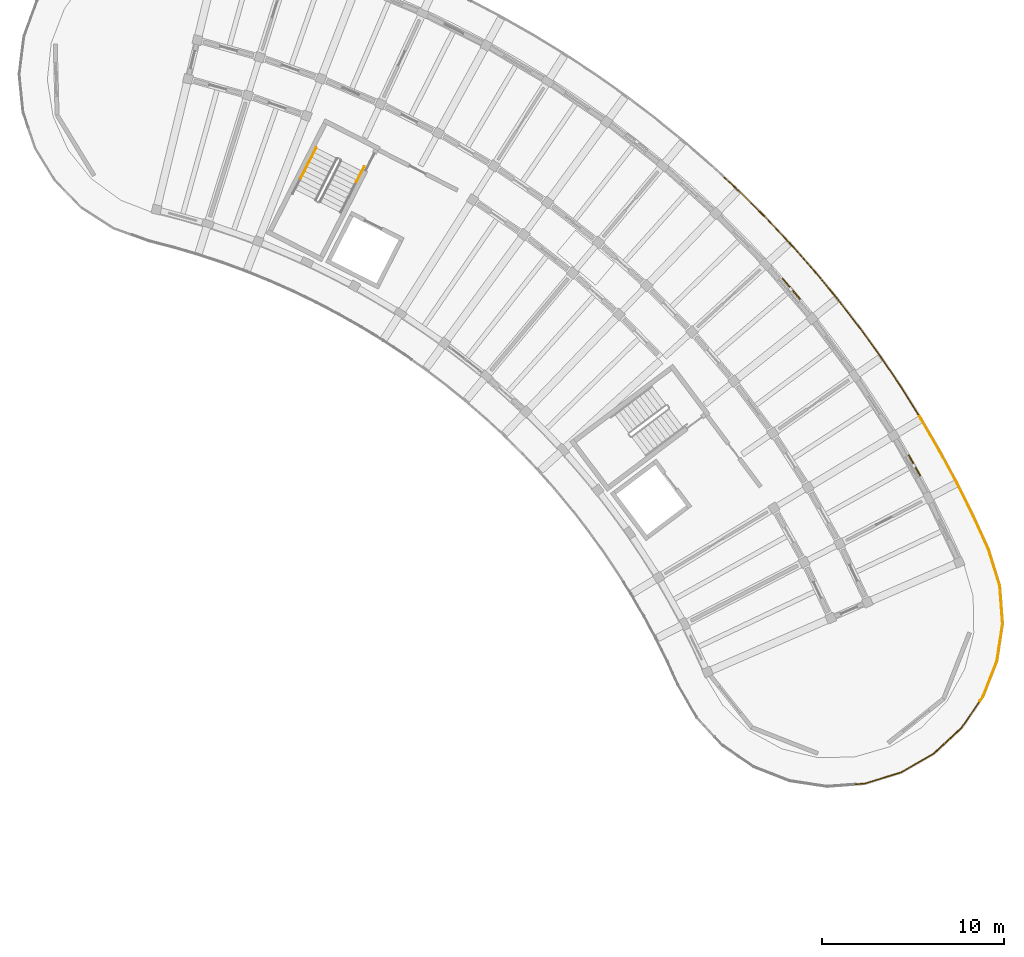
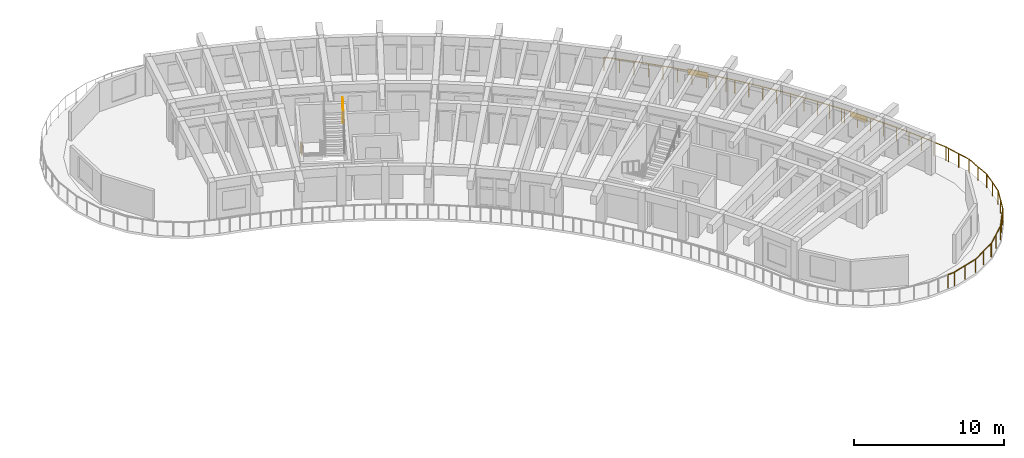
# One storey, part 39 of 41: 8 railings, 2 shading devices.
"""IFC4 building model written with IfcOpenShell, lengths in metres."""

import ifcopenshell
import ifcopenshell.guid

model = None  # the IFC model being written
_history = None  # IfcOwnerHistory: only IFC2X3 demands one
_inside = {}  # id of a spatial element -> (the spatial element, [elements in it])
_under = {}  # id of a project, library or spatial element -> (it, [spatial elements below it])
_declared = {}  # id of a project -> (the project, [libraries it declares])
_typed = {}  # id of a type object -> (the type object, [elements of that type])
_made_of = {}  # id of a material, layer set ... -> (it, [elements and type objects made of it])


def new_model(schema):
    """Start an empty IFC model of exactly this schema.

    Asked for "IFC4X3", IfcOpenShell would pick the latest addendum, in which some entities
    have other attributes; the version numbers below select the first issue.
    IFC2X3 requires an IfcOwnerHistory on every rooted entity: one is made here for all.
    """
    global model, _history
    if schema == "IFC4X3":
        model = ifcopenshell.file(schema_version=(4, 3, 0, 0))
    else:
        model = ifcopenshell.file(schema=schema)
    _inside.clear()
    _under.clear()
    _declared.clear()
    _typed.clear()
    _made_of.clear()
    _history = None
    if model.schema == "IFC2X3":
        org = make("IfcOrganization", Name="unknown")
        user = make(
            "IfcPersonAndOrganization",
            ThePerson=make("IfcPerson", FamilyName="unknown"),
            TheOrganization=org,
        )
        app = make(
            "IfcApplication",
            ApplicationDeveloper=org,
            Version="unknown",
            ApplicationFullName="unknown",
            ApplicationIdentifier="unknown",
        )
        _history = make(
            "IfcOwnerHistory",
            OwningUser=user,
            OwningApplication=app,
            ChangeAction="ADDED",
            CreationDate=0,
        )
    return model


def make(cls, **values):
    """One entity of the class cls with the attributes given. An attribute that is None is left unset."""
    return model.create_entity(
        cls, **{name: value for name, value in values.items() if value is not None}
    )


def rooted(cls, **values):
    """An entity with a GlobalId (a new one), such as an element, a storey or a relation."""
    return make(cls, GlobalId=ifcopenshell.guid.new(), OwnerHistory=_history, **values)


def si_unit(unit_type, name, prefix=None):
    """IfcSIUnit, for example si_unit("LENGTHUNIT", "METRE", prefix="MILLI")."""
    return make("IfcSIUnit", UnitType=unit_type, Prefix=prefix, Name=name)


def assignment(units):
    """IfcUnitAssignment: the units of a project."""
    return None if units is None else make("IfcUnitAssignment", Units=units)


def point(xyz):
    """IfcCartesianPoint."""
    return None if xyz is None else make("IfcCartesianPoint", Coordinates=xyz)


def direction(xyz):
    """IfcDirection."""
    return None if xyz is None else make("IfcDirection", DirectionRatios=xyz)


def frame(location, z_axis=None, x_axis=None):
    """IfcAxis2Placement3D, a coordinate frame: its origin and axes. An axis left out is left unset."""
    return make(
        "IfcAxis2Placement3D",
        Location=point(location),
        Axis=direction(z_axis),
        RefDirection=direction(x_axis),
    )


def frame_2d(location, x_axis=None):
    """IfcAxis2Placement2D, a coordinate frame in the plane: its origin and x axis."""
    return make(
        "IfcAxis2Placement2D", Location=point(location), RefDirection=direction(x_axis)
    )


def origin():
    """The frame at (0, 0, 0) with its axes left unset."""
    return frame((0.0, 0.0, 0.0))


def origin_2d():
    """The frame at (0, 0) in the plane with its x axis left unset."""
    return frame_2d((0.0, 0.0))


def place(relative_to, where):
    """IfcLocalPlacement: puts the frame where relative to a parent placement (None: the world)."""
    return make(
        "IfcLocalPlacement", PlacementRelTo=relative_to, RelativePlacement=where
    )


def context(
    kind, dimensions, precision=None, world=None, true_north=None, identifier=None
):
    """IfcGeometricRepresentationContext, for example the 3D "Model" context."""
    return make(
        "IfcGeometricRepresentationContext",
        ContextIdentifier=identifier,
        ContextType=kind,
        CoordinateSpaceDimension=dimensions,
        Precision=precision,
        WorldCoordinateSystem=world,
        TrueNorth=true_north,
    )


def subcontext(parent, identifier, kind, view, scale=None):
    """IfcGeometricRepresentationSubContext, for example "Body" below "Model"."""
    return make(
        "IfcGeometricRepresentationSubContext",
        ContextIdentifier=identifier,
        ContextType=kind,
        ParentContext=parent,
        TargetScale=scale,
        TargetView=view,
    )


def project(units=None, contexts=None):
    """IfcProject with its units and contexts."""
    return rooted(
        "IfcProject",
        Name="project",
        RepresentationContexts=contexts,
        UnitsInContext=assignment(units),
    )


def spatial(cls, under=None, at=None, **own):
    """A site, building, storey or space (cls), placed at a placement, below another one or the project."""
    s = rooted(cls, ObjectPlacement=at, **own)
    if under is not None:
        _under.setdefault(under.id(), (under, []))[1].append(s)
    return s


def profile(cls, at=None, kind="AREA", **sizes):
    """A parametric profile (cls). Its sizes go by their IFC names, for example OverallWidth=200.0."""
    return make(cls, ProfileType=kind, Position=at, **sizes)


def rectangle(**sizes):
    """IfcRectangleProfileDef."""
    return profile("IfcRectangleProfileDef", **sizes)


def circle(**sizes):
    """IfcCircleProfileDef."""
    return profile("IfcCircleProfileDef", **sizes)


def extrude(swept, where, along, depth):
    """IfcExtrudedAreaSolid: the profile swept, set in the frame where, extruded along a direction by depth."""
    return make(
        "IfcExtrudedAreaSolid",
        SweptArea=swept,
        Position=where,
        ExtrudedDirection=direction(along),
        Depth=depth,
    )


def shape(context_of_items, identifier, shape_type, items):
    """IfcShapeRepresentation: the items that make up one representation, for example the "Body"."""
    return make(
        "IfcShapeRepresentation",
        ContextOfItems=context_of_items,
        RepresentationIdentifier=identifier,
        RepresentationType=shape_type,
        Items=items,
    )


def material(Name=None, Category=None):
    """IfcMaterial."""
    return make("IfcMaterial", Name=Name, Category=Category)


def layer(
    of_material, thickness, ventilated=None, Name=None, Category=None, Priority=None
):
    """IfcMaterialLayer: one layer of a wall or slab, of a material (None: an air gap)."""
    return make(
        "IfcMaterialLayer",
        Material=of_material,
        LayerThickness=thickness,
        IsVentilated=ventilated,
        Name=Name,
        Category=Category,
        Priority=Priority,
    )


def layer_set(layers, Name=None):
    """IfcMaterialLayerSet."""
    return make("IfcMaterialLayerSet", MaterialLayers=layers, LayerSetName=Name)


def made_of(thing, what):
    """Note that an element or type object is made of a material, layer set ...; save() writes the relation."""
    if what is not None:
        _made_of.setdefault(what.id(), (what, []))[1].append(thing)
    return thing


def type_object(cls, material=None, **own):
    """A type object (cls), such as IfcWallType, which elements share."""
    return made_of(rooted(cls, **own), material)


def element(
    cls,
    number,
    at=None,
    inside=None,
    cuts=None,
    type_object=None,
    material=None,
    context=None,
    identifier="Body",
    shape_type=None,
    held_by="IfcProductDefinitionShape",
    body=None,
    shapes=None,
    **own,
):
    """One element of the class cls, such as IfcWall. Its Tag is "e" and its number.

    at: its placement. inside: the storey or other place that contains it. cuts: it is an
    opening in that element (IfcRelVoidsElement). A single representation is given by context,
    identifier, shape_type and body (its items); several are given by shapes. held_by: the class
    of the entity that holds the representations. save() writes the other relations.
    """
    e = rooted(cls, Tag="e%d" % number, ObjectPlacement=at, **own)
    if body is not None:
        shapes = [shape(context, identifier, shape_type, body)]
    if shapes is not None:
        e.Representation = make(held_by, Representations=shapes)
    if inside is not None:
        _inside.setdefault(inside.id(), (inside, []))[1].append(e)
    if cuts is not None:
        rooted(
            "IfcRelVoidsElement", RelatingBuildingElement=cuts, RelatedOpeningElement=e
        )
    if type_object is not None:
        _typed.setdefault(type_object.id(), (type_object, []))[1].append(e)
    return made_of(e, material)


def aggregate(whole, parts):
    """IfcRelAggregates: a whole, such as a stair, and the parts it consists of."""
    return rooted("IfcRelAggregates", RelatingObject=whole, RelatedObjects=parts)


def save(model, path):
    """Write the relations noted so far, then the file.

    IfcRelAggregates (storeys below a building ...), IfcRelContainedInSpatialStructure (elements
    in a storey), IfcRelDefinesByType, IfcRelAssociatesMaterial and IfcRelDeclares: one each for
    every whole, place, type object, material and project.
    """
    for whole, parts in _under.values():
        aggregate(whole, parts)
    for where, things in _inside.values():
        rooted(
            "IfcRelContainedInSpatialStructure",
            RelatedElements=things,
            RelatingStructure=where,
        )
    for kind, things in _typed.values():
        rooted("IfcRelDefinesByType", RelatedObjects=things, RelatingType=kind)
    for what, things in _made_of.values():
        rooted("IfcRelAssociatesMaterial", RelatedObjects=things, RelatingMaterial=what)
    for by, libraries in _declared.values():
        rooted("IfcRelDeclares", RelatingContext=by, RelatedDefinitions=libraries)
    model.write(path)


model = new_model("IFC4")

# Units and contexts
model_context = context("Model", 3, precision=1e-05, world=origin(), true_north=direction((0.0, 1.0)))
body_context = subcontext(model_context, "Body", "Model", "MODEL_VIEW")
ifc_project = project(units=[si_unit("LENGTHUNIT", "METRE"), si_unit("AREAUNIT", "SQUARE_METRE"), si_unit("VOLUMEUNIT", "CUBIC_METRE"), si_unit("PLANEANGLEUNIT", "RADIAN"), si_unit("MASSUNIT", "GRAM", prefix="KILO")], contexts=[model_context])

# Site, building, storey
site_placement = place(None, origin())
site = spatial("IfcSite", under=ifc_project, at=site_placement, CompositionType="ELEMENT")
building_placement = place(site_placement, origin())
building = spatial("IfcBuilding", under=site, at=building_placement, Name="Tanwirah Colonnade Gardens", CompositionType="ELEMENT")
storey_placement = place(building_placement, frame((0.0, 0.0, 35.719970703125)))
storey = spatial("IfcBuildingStorey", under=building, at=storey_placement, Name="L10", CompositionType="ELEMENT", Elevation=35.719970703125)

# Railings
ifc_material_1 = material(Name="Precast concrete C40/50", Category="concrete")
railing_type_1 = type_object("IfcRailingType", Name="BAL-EXT112", PredefinedType="BALUSTRADE", material=ifc_material_1)
railing_1_placement = place(storey_placement, frame((162.660400390625, 105.18359375, 0.0)))
element("IfcRailing", 1, at=railing_1_placement, inside=storey, type_object=railing_type_1, Name="Block B L10 Balcony Ribbon Balustrade 13", PredefinedType="BALUSTRADE", context=body_context, shape_type="SweptSolid", body=[
    extrude(circle(Radius=0.02392578125, at=origin_2d()), frame((0.02294921875, -0.021240234375, 1.09619140625), z_axis=(0.733410364028, -0.679786170745, 0.0), x_axis=(0.679786170745, 0.733410364028, 0.0)), (0.0, 0.0, 1.0), 0.97998046875),
    extrude(circle(Radius=0.02392578125, at=origin_2d()), frame((0.786865234375, -0.730712890625, 1.09619140625), z_axis=(0.710480209462, -0.703717181801, 0.0), x_axis=(0.703717181801, 0.710480209462, 0.0)), (0.0, 0.0, 1.0), 1.958984375),
    extrude(circle(Radius=0.02392578125, at=origin_2d()), frame((2.222412109375, -2.154052734375, 1.09619140625), z_axis=(0.686960364449, -0.726694886232, 0.0), x_axis=(0.726694886232, 0.686960364449, 0.0)), (0.0, 0.0, 1.0), 1.958984375),
    extrude(circle(Radius=0.02392578125, at=origin_2d()), frame((3.6103515625, -3.623779296875, 1.09619140625), z_axis=(0.662607760508, -0.748966591854, 0.0), x_axis=(0.748966591854, 0.662607760508, 0.0)), (0.0, 0.0, 1.0), 1.958740234375),
    extrude(circle(Radius=0.02392578125, at=origin_2d()), frame((4.948974609375, -5.138427734375, 1.09619140625), z_axis=(0.637560540742, -0.770400257587, 0.0), x_axis=(0.770400257587, 0.637560540742, 0.0)), (0.0, 0.0, 1.0), 1.33056640625),
    extrude(circle(Radius=0.02099609375, at=origin_2d()), origin(), (0.0, 0.0, 1.0), 1.069091796875),
    extrude(circle(Radius=0.02099609375, at=origin_2d()), frame((0.7646484375, -0.708740234375, 0.0)), (0.0, 0.0, 1.0), 1.069091796875),
    extrude(circle(Radius=0.02099609375, at=origin_2d()), frame((1.48291015625, -1.419921875, 0.0)), (0.0, 0.0, 1.0), 1.069091796875),
    extrude(circle(Radius=0.02099609375, at=origin_2d()), frame((2.200927734375, -2.13134765625, 0.0)), (0.0, 0.0, 1.0), 1.069091796875),
    extrude(circle(Radius=0.02099609375, at=origin_2d()), frame((2.895263671875, -2.86572265625, 0.0)), (0.0, 0.0, 1.0), 1.069091796875),
    extrude(circle(Radius=0.02099609375, at=origin_2d()), frame((3.589599609375, -3.600341796875, 0.0)), (0.0, 0.0, 1.0), 1.069091796875),
    extrude(circle(Radius=0.02099609375, at=origin_2d()), frame((4.25927734375, -4.357421875, 0.0)), (0.0, 0.0, 1.0), 1.069091796875),
    extrude(circle(Radius=0.02099609375, at=origin_2d()), frame((4.928955078125, -5.1142578125, 0.0)), (0.0, 0.0, 1.0), 1.069091796875),
    extrude(circle(Radius=0.02099609375, at=origin_2d()), frame((5.373046875, -5.65087890625, 0.0)), (0.0, 0.0, 1.0), 1.069091796875),
    extrude(circle(Radius=0.02099609375, at=origin_2d()), frame((5.817138671875, -6.1875, 0.0)), (0.0, 0.0, 1.0), 1.069091796875),
])
railing_2_placement = place(storey_placement, frame((168.4775390625, 98.99609375, 0.0)))
element("IfcRailing", 2, at=railing_2_placement, inside=storey, type_object=railing_type_1, Name="Block B L10 Balcony Ribbon Balustrade 14", PredefinedType="BALUSTRADE", context=body_context, shape_type="SweptSolid", body=[
    extrude(circle(Radius=0.02392578125, at=origin_2d()), frame((0.02001953125, -0.024169921875, 1.09619140625), z_axis=(0.637543860296, -0.770414061527, 0.0), x_axis=(0.770414061527, 0.637543860296, 0.0)), (0.0, 0.0, 1.0), 0.56591796875),
    extrude(circle(Radius=0.02392578125, at=origin_2d()), frame((0.419677734375, -0.5087890625, 1.09619140625), z_axis=(0.611856467608, -0.790968812942, 0.0), x_axis=(0.790968812942, 0.611856467608, 0.0)), (0.0, 0.0, 1.0), 1.958984375),
    extrude(circle(Radius=0.02392578125, at=origin_2d()), frame((1.65576171875, -2.1083984375, 1.09619140625), z_axis=(0.585468507287, -0.810695150457, 0.0), x_axis=(0.810695150457, 0.585468507287, 0.0)), (0.0, 0.0, 1.0), 1.958984375),
    extrude(circle(Radius=0.02392578125, at=origin_2d()), frame((2.83837890625, -3.747802734375, 1.09619140625), z_axis=(0.558345997542, -0.829608188863, 0.0), x_axis=(0.829608188863, 0.558345997542, 0.0)), (0.0, 0.0, 1.0), 1.958984375),
    extrude(circle(Radius=0.02392578125, at=origin_2d()), frame((3.96630859375, -5.425537109375, 1.09619140625), z_axis=(0.5308123388, -0.847489386941, 0.0), x_axis=(0.847489386941, 0.5308123388, 0.0)), (0.0, 0.0, 1.0), 1.74462890625),
    extrude(circle(Radius=0.02099609375, at=origin_2d()), origin(), (0.0, 0.0, 1.0), 1.069091796875),
    extrude(circle(Radius=0.02099609375, at=origin_2d()), frame((0.400634765625, -0.484130859375, 0.0)), (0.0, 0.0, 1.0), 1.069091796875),
    extrude(circle(Radius=0.02099609375, at=origin_2d()), frame((1.01904296875, -1.28369140625, 0.0)), (0.0, 0.0, 1.0), 1.069091796875),
    extrude(circle(Radius=0.02099609375, at=origin_2d()), frame((1.637451171875, -2.0830078125, 0.0)), (0.0, 0.0, 1.0), 1.069091796875),
    extrude(circle(Radius=0.02099609375, at=origin_2d()), frame((2.229248046875, -2.90234375, 0.0)), (0.0, 0.0, 1.0), 1.069091796875),
    extrude(circle(Radius=0.02099609375, at=origin_2d()), frame((2.821044921875, -3.721923828125, 0.0)), (0.0, 0.0, 1.0), 1.069091796875),
    extrude(circle(Radius=0.02099609375, at=origin_2d()), frame((3.38525390625, -4.560546875, 0.0)), (0.0, 0.0, 1.0), 1.069091796875),
    extrude(circle(Radius=0.02099609375, at=origin_2d()), frame((3.94970703125, -5.39892578125, 0.0)), (0.0, 0.0, 1.0), 1.069091796875),
    extrude(circle(Radius=0.02099609375, at=origin_2d()), frame((4.42919921875, -6.16455078125, 0.0)), (0.0, 0.0, 1.0), 1.069091796875),
    extrude(circle(Radius=0.02099609375, at=origin_2d()), frame((4.908935546875, -6.930419921875, 0.0)), (0.0, 0.0, 1.0), 1.069091796875),
])
railing_3_placement = place(storey_placement, frame((173.386474609375, 92.065673828125, 0.0)))
element("IfcRailing", 3, at=railing_3_placement, inside=storey, type_object=railing_type_1, Name="Block B L10 Balcony Ribbon Balustrade 15", PredefinedType="BALUSTRADE", context=body_context, shape_type="SweptSolid", body=[
    extrude(circle(Radius=0.02392578125, at=origin_2d()), frame((0.0166015625, -0.026611328125, 1.09619140625), z_axis=(0.530817816538, -0.847485956017, 0.0), x_axis=(0.847485956017, 0.530817816538, 0.0)), (0.0, 0.0, 1.0), 0.15185546875),
    extrude(circle(Radius=0.02392578125, at=origin_2d()), frame((0.12939453125, -0.208740234375, 1.09619140625), z_axis=(0.502421024862, -0.864623105045, 0.0), x_axis=(0.864623105045, 0.502421024862, 0.0)), (0.0, 0.0, 1.0), 1.958984375),
    extrude(circle(Radius=0.02392578125, at=origin_2d()), frame((1.144287109375, -1.95703125, 1.09619140625), z_axis=(0.473826102441, -0.88061843306, 0.0), x_axis=(0.88061843306, 0.473826102441, 0.0)), (0.0, 0.0, 1.0), 1.958740234375),
    extrude(circle(Radius=0.02392578125, at=origin_2d()), frame((2.10107421875, -3.737548828125, 1.09619140625), z_axis=(0.444409688214, -0.895823659557, 0.0), x_axis=(0.895823659557, 0.444409688214, 0.0)), (0.0, 0.0, 1.0), 1.959228515625),
    extrude(circle(Radius=0.02392578125, at=origin_2d()), frame((2.99853515625, -5.549072265625, 1.09619140625), z_axis=(0.414687086418, -0.909964076411, 0.0), x_axis=(0.909964076411, 0.414687086418, 0.0)), (0.0, 0.0, 1.0), 1.955078125),
    extrude(circle(Radius=0.02392578125, at=origin_2d()), frame((3.83154296875, -7.38623046875, 1.09619140625), z_axis=(0.29492820144, -0.95551941686, 0.0), x_axis=(0.95551941686, 0.29492820144, 0.0)), (0.0, 0.0, 1.0), 0.14111328125),
    extrude(circle(Radius=0.02099609375, at=origin_2d()), origin(), (0.0, 0.0, 1.0), 1.069091796875),
    extrude(circle(Radius=0.02099609375, at=origin_2d()), frame((0.11376953125, -0.181640625, 0.0)), (0.0, 0.0, 1.0), 1.069091796875),
    extrude(circle(Radius=0.02099609375, at=origin_2d()), frame((0.62158203125, -1.0556640625, 0.0)), (0.0, 0.0, 1.0), 1.069091796875),
    extrude(circle(Radius=0.02099609375, at=origin_2d()), frame((1.12939453125, -1.929443359375, 0.0)), (0.0, 0.0, 1.0), 1.069091796875),
    extrude(circle(Radius=0.02099609375, at=origin_2d()), frame((1.6083984375, -2.8193359375, 0.0)), (0.0, 0.0, 1.0), 1.069091796875),
    extrude(circle(Radius=0.02099609375, at=origin_2d()), frame((2.087158203125, -3.70947265625, 0.0)), (0.0, 0.0, 1.0), 1.069091796875),
    extrude(circle(Radius=0.02099609375, at=origin_2d()), frame((2.536376953125, -4.614990234375, 0.0)), (0.0, 0.0, 1.0), 1.069091796875),
    extrude(circle(Radius=0.02099609375, at=origin_2d()), frame((2.985595703125, -5.5205078125, 0.0)), (0.0, 0.0, 1.0), 1.069091796875),
    extrude(circle(Radius=0.02099609375, at=origin_2d()), frame((3.40380859375, -6.4384765625, 0.0)), (0.0, 0.0, 1.0), 1.069091796875),
    extrude(circle(Radius=0.02099609375, at=origin_2d()), frame((3.822265625, -7.3564453125, 0.0)), (0.0, 0.0, 1.0), 1.069091796875),
    extrude(circle(Radius=0.02099609375, at=origin_2d()), frame((3.88232421875, -7.551025390625, 0.0)), (0.0, 0.0, 1.0), 1.069091796875),
])
railing_4_placement = place(storey_placement, frame((177.268798828125, 84.5146484375, 0.0)))
element("IfcRailing", 4, at=railing_4_placement, inside=storey, type_object=railing_type_1, Name="Block B L10 Balcony Ribbon Balustrade 16", PredefinedType="BALUSTRADE", context=body_context, shape_type="SweptSolid", body=[
    extrude(circle(Radius=0.02392578125, at=origin_2d()), frame((0.00927734375, -0.02978515625, 1.09619140625), z_axis=(0.29444946628, -0.955667050707, 0.0), x_axis=(0.955667050707, 0.29444946628, 0.0)), (0.0, 0.0, 1.0), 1.82470703125),
    extrude(circle(Radius=0.02392578125, at=origin_2d()), frame((0.55810546875, -1.834716796875, 1.09619140625), z_axis=(0.074522374558, -0.997219341815, 0.0), x_axis=(0.997219341815, 0.074522374558, 0.0)), (0.0, 0.0, 1.0), 2.0244140625),
    extrude(circle(Radius=0.02392578125, at=origin_2d()), frame((0.70654296875, -3.91552734375, 1.09619140625), z_axis=(-0.149392969894, -0.988777902537, 0.0), x_axis=(0.988777902537, -0.149392969894, 0.0)), (0.0, 0.0, 1.0), 2.0244140625),
    extrude(circle(Radius=0.02392578125, at=origin_2d()), frame((0.387939453125, -5.97705078125, 1.09619140625), z_axis=(-0.365594458321, -0.930774243329, 0.0), x_axis=(0.930774243329, -0.365594458321, 0.0)), (0.0, 0.0, 1.0), 2.0244140625),
    extrude(circle(Radius=0.02392578125, at=origin_2d()), frame((-0.381103515625, -7.916259765625, 1.09619140625), z_axis=(-0.563465851947, -0.826139354885, 0.0), x_axis=(0.826139354885, -0.563465851947, 0.0)), (0.0, 0.0, 1.0), 0.289794921875),
    extrude(circle(Radius=0.02099609375, at=origin_2d()), origin(), (0.0, 0.0, 1.0), 1.069091796875),
    extrude(circle(Radius=0.02099609375, at=origin_2d()), frame((0.27783203125, -0.90185546875, 0.0)), (0.0, 0.0, 1.0), 1.069091796875),
    extrude(circle(Radius=0.02099609375, at=origin_2d()), frame((0.5556640625, -1.803466796875, 0.0)), (0.0, 0.0, 1.0), 1.069091796875),
    extrude(circle(Radius=0.02099609375, at=origin_2d()), frame((0.63330078125, -2.843994140625, 0.0)), (0.0, 0.0, 1.0), 1.069091796875),
    extrude(circle(Radius=0.02099609375, at=origin_2d()), frame((0.711181640625, -3.884521484375, 0.0)), (0.0, 0.0, 1.0), 1.069091796875),
    extrude(circle(Radius=0.02099609375, at=origin_2d()), frame((0.55517578125, -4.916259765625, 0.0)), (0.0, 0.0, 1.0), 1.069091796875),
    extrude(circle(Radius=0.02099609375, at=origin_2d()), frame((0.3994140625, -5.947998046875, 0.0)), (0.0, 0.0, 1.0), 1.069091796875),
    extrude(circle(Radius=0.02099609375, at=origin_2d()), frame((0.01806640625, -6.919189453125, 0.0)), (0.0, 0.0, 1.0), 1.069091796875),
    extrude(circle(Radius=0.02099609375, at=origin_2d()), frame((-0.363525390625, -7.890380859375, 0.0)), (0.0, 0.0, 1.0), 1.069091796875),
    extrude(circle(Radius=0.02099609375, at=origin_2d()), frame((-0.56201171875, -8.181396484375, 0.0)), (0.0, 0.0, 1.0), 1.069091796875),
])
railing_5_placement = place(storey_placement, frame((176.706787109375, 76.333251953125, 0.0)))
element("IfcRailing", 5, at=railing_5_placement, inside=storey, type_object=railing_type_1, Name="Block B L10 Balcony Ribbon Balustrade 17", PredefinedType="BALUSTRADE", context=body_context, shape_type="SweptSolid", body=[
    extrude(circle(Radius=0.02392578125, at=origin_2d()), frame((-0.017578125, -0.02587890625, 1.09619140625), z_axis=(-0.563502757457, -0.826114182386, 0.0), x_axis=(0.826114182386, -0.563502757457, 0.0)), (0.0, 0.0, 1.0), 1.672119140625),
    extrude(circle(Radius=0.02392578125, at=origin_2d()), frame((-1.00048828125, -1.454345703125, 1.09619140625), z_axis=(-0.733276640755, -0.679930414178, 0.0), x_axis=(0.679930414178, -0.733276640755, 0.0)), (0.0, 0.0, 1.0), 2.0244140625),
    extrude(circle(Radius=0.02392578125, at=origin_2d()), frame((-2.534912109375, -2.86767578125, 1.09619140625), z_axis=(-0.866162213927, -0.499762962979, 0.0), x_axis=(0.499762962979, -0.866162213927, 0.0)), (0.0, 0.0, 1.0), 2.0244140625),
    extrude(circle(Radius=0.02392578125, at=origin_2d()), frame((-4.34521484375, -3.904296875, 1.09619140625), z_axis=(-0.955665112144, -0.29445575802, 0.0), x_axis=(0.29445575802, -0.955665112144, 0.0)), (0.0, 0.0, 1.0), 2.0244140625),
    extrude(circle(Radius=0.02392578125, at=origin_2d()), frame((-6.341064453125, -4.511962890625, 1.09619140625), z_axis=(-0.997220020935, -0.074513286377, 0.0), x_axis=(0.074513286377, -0.997220020935, 0.0)), (0.0, 0.0, 1.0), 0.442138671875),
    extrude(circle(Radius=0.02099609375, at=origin_2d()), origin(), (0.0, 0.0, 1.0), 1.069091796875),
    extrude(circle(Radius=0.02099609375, at=origin_2d()), frame((-0.48876953125, -0.716552734375, 0.0)), (0.0, 0.0, 1.0), 1.069091796875),
    extrude(circle(Radius=0.02099609375, at=origin_2d()), frame((-0.9775390625, -1.43310546875, 0.0)), (0.0, 0.0, 1.0), 1.069091796875),
    extrude(circle(Radius=0.02099609375, at=origin_2d()), frame((-1.74267578125, -2.142578125, 0.0)), (0.0, 0.0, 1.0), 1.069091796875),
    extrude(circle(Radius=0.02099609375, at=origin_2d()), frame((-2.5078125, -2.85205078125, 0.0)), (0.0, 0.0, 1.0), 1.069091796875),
    extrude(circle(Radius=0.02099609375, at=origin_2d()), frame((-3.41162109375, -3.37353515625, 0.0)), (0.0, 0.0, 1.0), 1.069091796875),
    extrude(circle(Radius=0.02099609375, at=origin_2d()), frame((-4.3154296875, -3.89501953125, 0.0)), (0.0, 0.0, 1.0), 1.069091796875),
    extrude(circle(Radius=0.02099609375, at=origin_2d()), frame((-5.3125, -4.2021484375, 0.0)), (0.0, 0.0, 1.0), 1.069091796875),
    extrude(circle(Radius=0.02099609375, at=origin_2d()), frame((-6.309814453125, -4.509521484375, 0.0)), (0.0, 0.0, 1.0), 1.069091796875),
    extrude(circle(Radius=0.02099609375, at=origin_2d()), frame((-6.81298828125, -4.547119140625, 0.0)), (0.0, 0.0, 1.0), 1.069091796875),
])
ifc_material_2 = material(Name="Brushed bronze stainless steel", Category="steel")
railing_type_2 = type_object("IfcRailingType", Name="HR-ST090", PredefinedType="HANDRAIL", material=ifc_material_2)
railing_6_placement = place(storey_placement, frame((140.204345703125, 106.811767578125, 0.16796875)))
element("IfcRailing", 6, at=railing_6_placement, inside=storey, type_object=railing_type_2, Name="L10 ST-B2 stair handrail 1", PredefinedType="HANDRAIL", context=body_context, shape_type="SweptSolid", body=[
    extrude(circle(Radius=0.02392578125, at=origin_2d()), frame((-0.01220703125, -0.02392578125, 0.891845703125), z_axis=(-0.389886268615, -0.765422249879, 0.511974097915), x_axis=(0.891061070925, -0.453883429839, 0.0)), (0.0, 0.0, 1.0), 1.043212890625),
    extrude(circle(Radius=0.02099609375, at=origin_2d()), origin(), (0.0, 0.0, 1.0), 0.848876953125),
    extrude(circle(Radius=0.02099609375, at=origin_2d()), frame((-0.43115234375, -0.846435546875, 0.566162109375)), (0.0, 0.0, 1.0), 0.848876953125),
])
railing_7_placement = place(storey_placement, frame((139.773193359375, 105.96533203125, 0.734130859375)))
element("IfcRailing", 7, at=railing_7_placement, inside=storey, type_object=railing_type_2, Name="L10 ST-B2 stair handrail 2", PredefinedType="HANDRAIL", context=body_context, shape_type="SweptSolid", body=[
    extrude(circle(Radius=0.02392578125, at=origin_2d()), frame((-0.01220703125, -0.02392578125, 0.891845703125), z_axis=(-0.390117538533, -0.765442844423, 0.51176709356), x_axis=(0.890957114254, -0.454087459154, 0.0)), (0.0, 0.0, 1.0), 1.043212890625),
    extrude(circle(Radius=0.02099609375, at=origin_2d()), origin(), (0.0, 0.0, 1.0), 0.848876953125),
    extrude(circle(Radius=0.02099609375, at=origin_2d()), frame((-0.431396484375, -0.846435546875, 0.56591796875)), (0.0, 0.0, 1.0), 0.848876953125),
])
railing_8_placement = place(storey_placement, frame((142.415283203125, 104.93896484375, 2.97998046875)))
element("IfcRailing", 8, at=railing_8_placement, inside=storey, type_object=railing_type_2, Name="L10 ST-B2 stair handrail 6", PredefinedType="HANDRAIL", context=body_context, shape_type="SweptSolid", body=[
    extrude(circle(Radius=0.02392578125, at=origin_2d()), frame((0.01220703125, 0.02392578125, 0.891845703125), z_axis=(0.389886268615, 0.765422249879, 0.511974097915), x_axis=(-0.891061070925, 0.453883429839, 0.0)), (0.0, 0.0, 1.0), 1.043212890625),
    extrude(circle(Radius=0.02099609375, at=origin_2d()), origin(), (0.0, 0.0, 1.0), 0.848876953125),
    extrude(circle(Radius=0.02099609375, at=origin_2d()), frame((0.43115234375, 0.846435546875, 0.566162109375)), (0.0, 0.0, 1.0), 0.848876953125),
])

# Shading devices
ifc_material_3 = material(Name="Perforated architectural bronze aluminium", Category="aluminium")
ifc_layer = layer(ifc_material_3, 0.050048828125)
ifc_layer_set = layer_set([ifc_layer], Name="Perforated architectural bronze aluminium")
shading_device_type = type_object("IfcShadingDeviceType", Name="SHD-OVH1", PredefinedType="SHUTTER", material=ifc_layer_set)
shading_device_1_placement = place(storey_placement, frame((173.13525390625, 89.33251953125, 1.97021484375), z_axis=(0.0, 0.0, 1.0), x_axis=(-0.488196871558, 0.872733530123, 0.0)))
element("IfcShadingDevice", 9, at=shading_device_1_placement, inside=storey, type_object=shading_device_type, Name="Solar shading louver hood B-L10-03", PredefinedType="SHUTTER", context=body_context, shape_type="SweptSolid", body=[
    extrude(rectangle(XDim=1.320068359375, YDim=0.06005859375, at=origin_2d()), origin(), (0.0, 0.0, 1.0), 0.449951171875),
])
shading_device_2_placement = place(storey_placement, frame((166.35791015625, 99.0517578125, 1.97021484375), z_axis=(0.0, 0.0, 1.0), x_axis=(-0.650186200632, 0.759774903842, 0.0)))
element("IfcShadingDevice", 10, at=shading_device_2_placement, inside=storey, type_object=shading_device_type, Name="Solar shading louver hood B-L10-06", PredefinedType="SHUTTER", context=body_context, shape_type="SweptSolid", body=[
    extrude(rectangle(XDim=1.5, YDim=0.06005859375, at=origin_2d()), origin(), (0.0, 0.0, 1.0), 0.449951171875),
])

save(model, "model.ifc")
